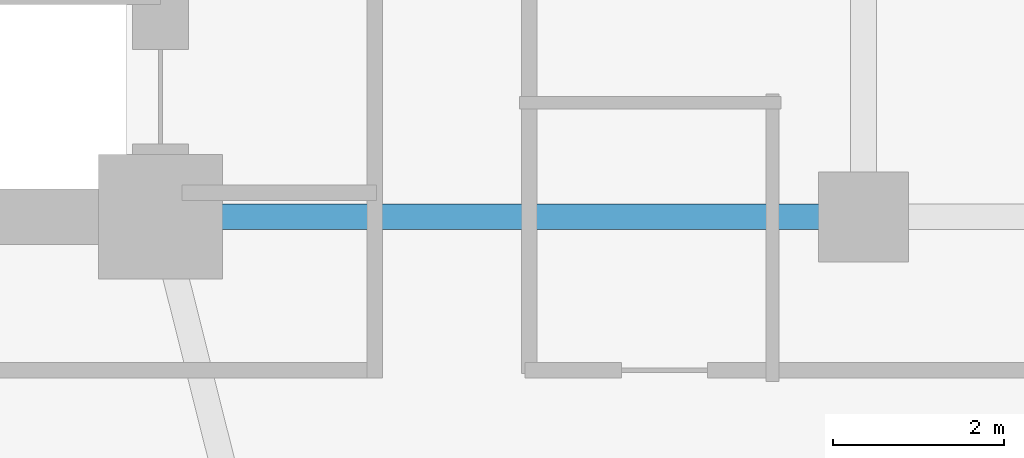
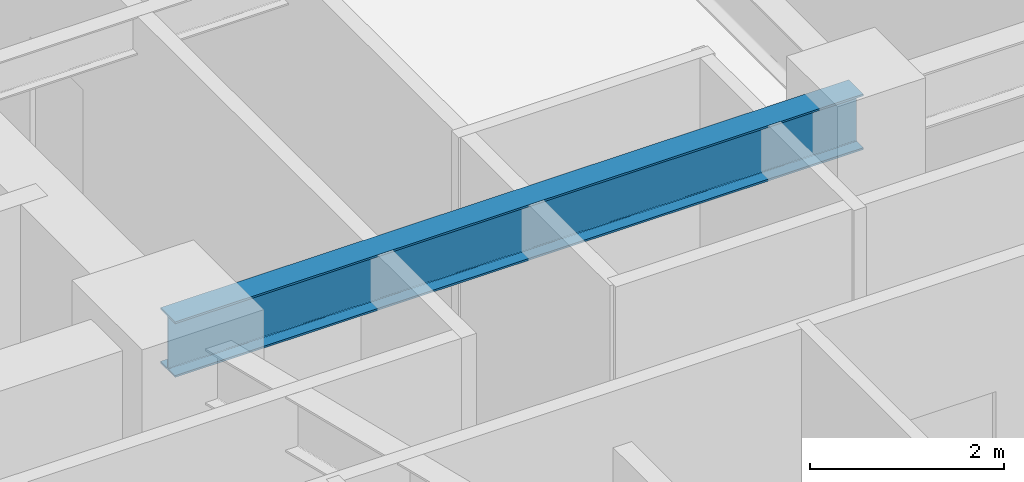
# One storey, part 4 of 28: 1 beam.
"""IFC4 building model written with IfcOpenShell, lengths in metres."""

import ifcopenshell
import ifcopenshell.guid

model = None  # the IFC model being written
_history = None  # IfcOwnerHistory: only IFC2X3 demands one
_inside = {}  # id of a spatial element -> (the spatial element, [elements in it])
_under = {}  # id of a project, library or spatial element -> (it, [spatial elements below it])
_declared = {}  # id of a project -> (the project, [libraries it declares])
_typed = {}  # id of a type object -> (the type object, [elements of that type])
_made_of = {}  # id of a material, layer set ... -> (it, [elements and type objects made of it])


def new_model(schema):
    """Start an empty IFC model of exactly this schema.

    Asked for "IFC4X3", IfcOpenShell would pick the latest addendum, in which some entities
    have other attributes; the version numbers below select the first issue.
    IFC2X3 requires an IfcOwnerHistory on every rooted entity: one is made here for all.
    """
    global model, _history
    if schema == "IFC4X3":
        model = ifcopenshell.file(schema_version=(4, 3, 0, 0))
    else:
        model = ifcopenshell.file(schema=schema)
    _inside.clear()
    _under.clear()
    _declared.clear()
    _typed.clear()
    _made_of.clear()
    _history = None
    if model.schema == "IFC2X3":
        org = make("IfcOrganization", Name="unknown")
        user = make(
            "IfcPersonAndOrganization",
            ThePerson=make("IfcPerson", FamilyName="unknown"),
            TheOrganization=org,
        )
        app = make(
            "IfcApplication",
            ApplicationDeveloper=org,
            Version="unknown",
            ApplicationFullName="unknown",
            ApplicationIdentifier="unknown",
        )
        _history = make(
            "IfcOwnerHistory",
            OwningUser=user,
            OwningApplication=app,
            ChangeAction="ADDED",
            CreationDate=0,
        )
    return model


def make(cls, **values):
    """One entity of the class cls with the attributes given. An attribute that is None is left unset."""
    return model.create_entity(
        cls, **{name: value for name, value in values.items() if value is not None}
    )


def rooted(cls, **values):
    """An entity with a GlobalId (a new one), such as an element, a storey or a relation."""
    return make(cls, GlobalId=ifcopenshell.guid.new(), OwnerHistory=_history, **values)


def si_unit(unit_type, name, prefix=None):
    """IfcSIUnit, for example si_unit("LENGTHUNIT", "METRE", prefix="MILLI")."""
    return make("IfcSIUnit", UnitType=unit_type, Prefix=prefix, Name=name)


def assignment(units):
    """IfcUnitAssignment: the units of a project."""
    return None if units is None else make("IfcUnitAssignment", Units=units)


def point(xyz):
    """IfcCartesianPoint."""
    return None if xyz is None else make("IfcCartesianPoint", Coordinates=xyz)


def direction(xyz):
    """IfcDirection."""
    return None if xyz is None else make("IfcDirection", DirectionRatios=xyz)


def frame(location, z_axis=None, x_axis=None):
    """IfcAxis2Placement3D, a coordinate frame: its origin and axes. An axis left out is left unset."""
    return make(
        "IfcAxis2Placement3D",
        Location=point(location),
        Axis=direction(z_axis),
        RefDirection=direction(x_axis),
    )


def frame_2d(location, x_axis=None):
    """IfcAxis2Placement2D, a coordinate frame in the plane: its origin and x axis."""
    return make(
        "IfcAxis2Placement2D", Location=point(location), RefDirection=direction(x_axis)
    )


def origin():
    """The frame at (0, 0, 0) with its axes left unset."""
    return frame((0.0, 0.0, 0.0))


def origin_2d():
    """The frame at (0, 0) in the plane with its x axis left unset."""
    return frame_2d((0.0, 0.0))


def place(relative_to, where):
    """IfcLocalPlacement: puts the frame where relative to a parent placement (None: the world)."""
    return make(
        "IfcLocalPlacement", PlacementRelTo=relative_to, RelativePlacement=where
    )


def context(
    kind, dimensions, precision=None, world=None, true_north=None, identifier=None
):
    """IfcGeometricRepresentationContext, for example the 3D "Model" context."""
    return make(
        "IfcGeometricRepresentationContext",
        ContextIdentifier=identifier,
        ContextType=kind,
        CoordinateSpaceDimension=dimensions,
        Precision=precision,
        WorldCoordinateSystem=world,
        TrueNorth=true_north,
    )


def subcontext(parent, identifier, kind, view, scale=None):
    """IfcGeometricRepresentationSubContext, for example "Body" below "Model"."""
    return make(
        "IfcGeometricRepresentationSubContext",
        ContextIdentifier=identifier,
        ContextType=kind,
        ParentContext=parent,
        TargetScale=scale,
        TargetView=view,
    )


def project(units=None, contexts=None):
    """IfcProject with its units and contexts."""
    return rooted(
        "IfcProject",
        Name="project",
        RepresentationContexts=contexts,
        UnitsInContext=assignment(units),
    )


def spatial(cls, under=None, at=None, **own):
    """A site, building, storey or space (cls), placed at a placement, below another one or the project."""
    s = rooted(cls, ObjectPlacement=at, **own)
    if under is not None:
        _under.setdefault(under.id(), (under, []))[1].append(s)
    return s


def profile(cls, at=None, kind="AREA", **sizes):
    """A parametric profile (cls). Its sizes go by their IFC names, for example OverallWidth=200.0."""
    return make(cls, ProfileType=kind, Position=at, **sizes)


def i_section(**sizes):
    """IfcIShapeProfileDef."""
    return profile("IfcIShapeProfileDef", **sizes)


def extrude(swept, where, along, depth):
    """IfcExtrudedAreaSolid: the profile swept, set in the frame where, extruded along a direction by depth."""
    return make(
        "IfcExtrudedAreaSolid",
        SweptArea=swept,
        Position=where,
        ExtrudedDirection=direction(along),
        Depth=depth,
    )


def shape(context_of_items, identifier, shape_type, items):
    """IfcShapeRepresentation: the items that make up one representation, for example the "Body"."""
    return make(
        "IfcShapeRepresentation",
        ContextOfItems=context_of_items,
        RepresentationIdentifier=identifier,
        RepresentationType=shape_type,
        Items=items,
    )


def material(Name=None, Category=None):
    """IfcMaterial."""
    return make("IfcMaterial", Name=Name, Category=Category)


def material_profile(
    of_material, cross_section, Name=None, Category=None, Priority=None
):
    """IfcMaterialProfile: a cross section and its material."""
    return make(
        "IfcMaterialProfile",
        Name=Name,
        Material=of_material,
        Profile=cross_section,
        Priority=Priority,
        Category=Category,
    )


def profile_set(profiles, Name=None, composite=None):
    """IfcMaterialProfileSet."""
    return make(
        "IfcMaterialProfileSet",
        Name=Name,
        MaterialProfiles=profiles,
        CompositeProfile=composite,
    )


def made_of(thing, what):
    """Note that an element or type object is made of a material, layer set ...; save() writes the relation."""
    if what is not None:
        _made_of.setdefault(what.id(), (what, []))[1].append(thing)
    return thing


def type_object(cls, material=None, **own):
    """A type object (cls), such as IfcWallType, which elements share."""
    return made_of(rooted(cls, **own), material)


def element(
    cls,
    number,
    at=None,
    inside=None,
    cuts=None,
    type_object=None,
    material=None,
    context=None,
    identifier="Body",
    shape_type=None,
    held_by="IfcProductDefinitionShape",
    body=None,
    shapes=None,
    **own,
):
    """One element of the class cls, such as IfcWall. Its Tag is "e" and its number.

    at: its placement. inside: the storey or other place that contains it. cuts: it is an
    opening in that element (IfcRelVoidsElement). A single representation is given by context,
    identifier, shape_type and body (its items); several are given by shapes. held_by: the class
    of the entity that holds the representations. save() writes the other relations.
    """
    e = rooted(cls, Tag="e%d" % number, ObjectPlacement=at, **own)
    if body is not None:
        shapes = [shape(context, identifier, shape_type, body)]
    if shapes is not None:
        e.Representation = make(held_by, Representations=shapes)
    if inside is not None:
        _inside.setdefault(inside.id(), (inside, []))[1].append(e)
    if cuts is not None:
        rooted(
            "IfcRelVoidsElement", RelatingBuildingElement=cuts, RelatedOpeningElement=e
        )
    if type_object is not None:
        _typed.setdefault(type_object.id(), (type_object, []))[1].append(e)
    return made_of(e, material)


def aggregate(whole, parts):
    """IfcRelAggregates: a whole, such as a stair, and the parts it consists of."""
    return rooted("IfcRelAggregates", RelatingObject=whole, RelatedObjects=parts)


def save(model, path):
    """Write the relations noted so far, then the file.

    IfcRelAggregates (storeys below a building ...), IfcRelContainedInSpatialStructure (elements
    in a storey), IfcRelDefinesByType, IfcRelAssociatesMaterial and IfcRelDeclares: one each for
    every whole, place, type object, material and project.
    """
    for whole, parts in _under.values():
        aggregate(whole, parts)
    for where, things in _inside.values():
        rooted(
            "IfcRelContainedInSpatialStructure",
            RelatedElements=things,
            RelatingStructure=where,
        )
    for kind, things in _typed.values():
        rooted("IfcRelDefinesByType", RelatedObjects=things, RelatingType=kind)
    for what, things in _made_of.values():
        rooted("IfcRelAssociatesMaterial", RelatedObjects=things, RelatingMaterial=what)
    for by, libraries in _declared.values():
        rooted("IfcRelDeclares", RelatingContext=by, RelatedDefinitions=libraries)
    model.write(path)


model = new_model("IFC4")

# Units and contexts
model_context = context("Model", 3, precision=1e-05, world=origin(), true_north=direction((0.0, 1.0)))
body_context = subcontext(model_context, "Body", "Model", "MODEL_VIEW")
ifc_project = project(units=[si_unit("LENGTHUNIT", "METRE"), si_unit("AREAUNIT", "SQUARE_METRE"), si_unit("VOLUMEUNIT", "CUBIC_METRE"), si_unit("PLANEANGLEUNIT", "RADIAN"), si_unit("MASSUNIT", "GRAM", prefix="KILO")], contexts=[model_context])

# Site, building, storey
site_placement = place(None, origin())
site = spatial("IfcSite", under=ifc_project, at=site_placement, CompositionType="ELEMENT")
building_placement = place(site_placement, origin())
building = spatial("IfcBuilding", under=site, at=building_placement, Name="Voryun Gate Residences", CompositionType="ELEMENT")
storey_placement = place(building_placement, frame((0.0, 0.0, 61.10009765625)))
storey = spatial("IfcBuildingStorey", under=building, at=storey_placement, Name="L14", CompositionType="ELEMENT", Elevation=61.10009765625)

# Beam
ifc_material = material(Name="Steel SM355", Category="steel")
ifc_material_profile = material_profile(ifc_material, i_section(OverallWidth=0.300048828125, OverallDepth=0.699951171875, WebThickness=0.012939453125, FlangeThickness=0.02392578125, FilletRadius=0.01806640625, at=origin_2d()), Name="H-700x300x13x24")
ifc_profile_set = profile_set([ifc_material_profile], Name="Steel SM355")
beam_type = type_object("IfcBeamType", Name="BM_GIRD_700", PredefinedType="USERDEFINED", material=ifc_profile_set)
beam_placement = place(storey_placement, frame((-12.39990234375, -7.39990234375, 3.2998046875), z_axis=(1.0, 0.0, 0.0), x_axis=(0.0, 1.0, 0.0)))
element("IfcBeam", 1, at=beam_placement, inside=storey, type_object=beam_type, Name="BM-L14-SPG1-S", ObjectType="GIRDER", PredefinedType="USERDEFINED", context=body_context, shape_type="SweptSolid", body=[
    extrude(i_section(OverallWidth=0.300048828125, OverallDepth=0.699951171875, WebThickness=0.012939453125, FlangeThickness=0.02392578125, FilletRadius=0.01806640625, at=origin_2d()), origin(), (0.0, 0.0, 1.0), 8.199951171875),
])

save(model, "model.ifc")
